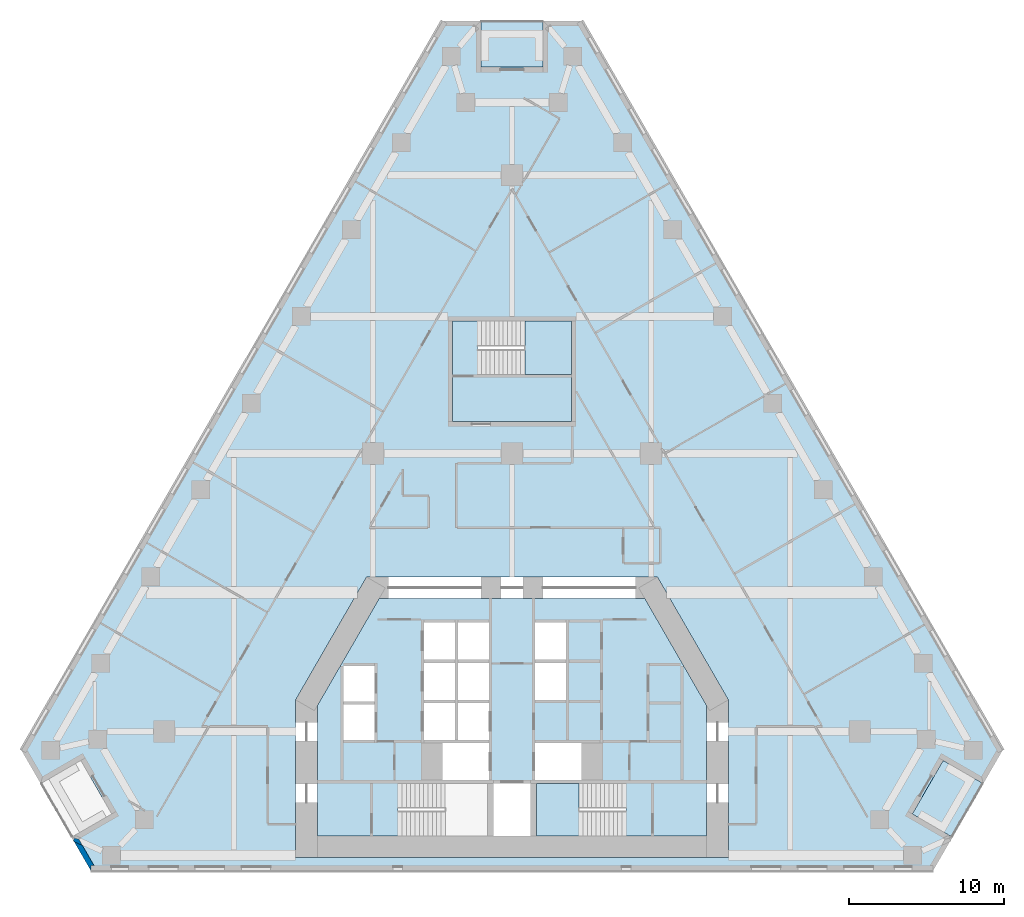
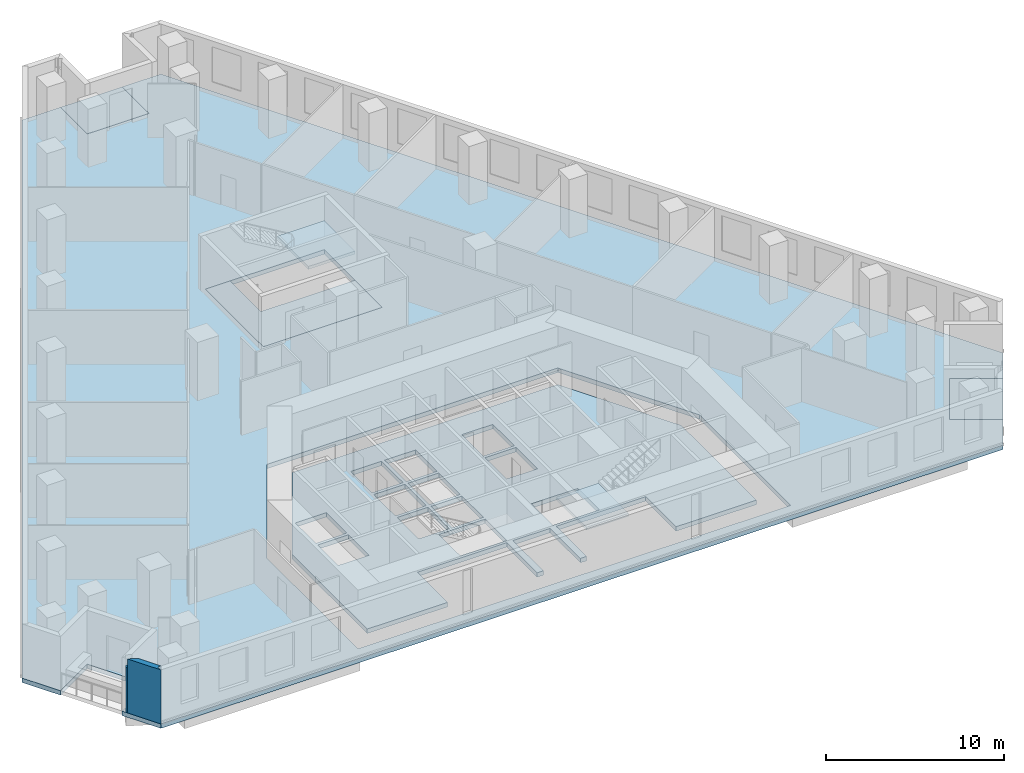
# One storey, part 2 of 11: 7 slabs, 2 walls, 2 elements without a shape of their own.
"""IFC4 building model written with IfcOpenShell, lengths in metres."""

import ifcopenshell
import ifcopenshell.guid

model = None  # the IFC model being written
_history = None  # IfcOwnerHistory: only IFC2X3 demands one
_inside = {}  # id of a spatial element -> (the spatial element, [elements in it])
_under = {}  # id of a project, library or spatial element -> (it, [spatial elements below it])
_declared = {}  # id of a project -> (the project, [libraries it declares])
_typed = {}  # id of a type object -> (the type object, [elements of that type])
_made_of = {}  # id of a material, layer set ... -> (it, [elements and type objects made of it])


def new_model(schema):
    """Start an empty IFC model of exactly this schema.

    Asked for "IFC4X3", IfcOpenShell would pick the latest addendum, in which some entities
    have other attributes; the version numbers below select the first issue.
    IFC2X3 requires an IfcOwnerHistory on every rooted entity: one is made here for all.
    """
    global model, _history
    if schema == "IFC4X3":
        model = ifcopenshell.file(schema_version=(4, 3, 0, 0))
    else:
        model = ifcopenshell.file(schema=schema)
    _inside.clear()
    _under.clear()
    _declared.clear()
    _typed.clear()
    _made_of.clear()
    _history = None
    if model.schema == "IFC2X3":
        org = make("IfcOrganization", Name="unknown")
        user = make(
            "IfcPersonAndOrganization",
            ThePerson=make("IfcPerson", FamilyName="unknown"),
            TheOrganization=org,
        )
        app = make(
            "IfcApplication",
            ApplicationDeveloper=org,
            Version="unknown",
            ApplicationFullName="unknown",
            ApplicationIdentifier="unknown",
        )
        _history = make(
            "IfcOwnerHistory",
            OwningUser=user,
            OwningApplication=app,
            ChangeAction="ADDED",
            CreationDate=0,
        )
    return model


def make(cls, **values):
    """One entity of the class cls with the attributes given. An attribute that is None is left unset."""
    return model.create_entity(
        cls, **{name: value for name, value in values.items() if value is not None}
    )


def rooted(cls, **values):
    """An entity with a GlobalId (a new one), such as an element, a storey or a relation."""
    return make(cls, GlobalId=ifcopenshell.guid.new(), OwnerHistory=_history, **values)


def si_unit(unit_type, name, prefix=None):
    """IfcSIUnit, for example si_unit("LENGTHUNIT", "METRE", prefix="MILLI")."""
    return make("IfcSIUnit", UnitType=unit_type, Prefix=prefix, Name=name)


def assignment(units):
    """IfcUnitAssignment: the units of a project."""
    return None if units is None else make("IfcUnitAssignment", Units=units)


def point(xyz):
    """IfcCartesianPoint."""
    return None if xyz is None else make("IfcCartesianPoint", Coordinates=xyz)


def direction(xyz):
    """IfcDirection."""
    return None if xyz is None else make("IfcDirection", DirectionRatios=xyz)


def frame(location, z_axis=None, x_axis=None):
    """IfcAxis2Placement3D, a coordinate frame: its origin and axes. An axis left out is left unset."""
    return make(
        "IfcAxis2Placement3D",
        Location=point(location),
        Axis=direction(z_axis),
        RefDirection=direction(x_axis),
    )


def origin():
    """The frame at (0, 0, 0) with its axes left unset."""
    return frame((0.0, 0.0, 0.0))


def place(relative_to, where):
    """IfcLocalPlacement: puts the frame where relative to a parent placement (None: the world)."""
    return make(
        "IfcLocalPlacement", PlacementRelTo=relative_to, RelativePlacement=where
    )


def context(
    kind, dimensions, precision=None, world=None, true_north=None, identifier=None
):
    """IfcGeometricRepresentationContext, for example the 3D "Model" context."""
    return make(
        "IfcGeometricRepresentationContext",
        ContextIdentifier=identifier,
        ContextType=kind,
        CoordinateSpaceDimension=dimensions,
        Precision=precision,
        WorldCoordinateSystem=world,
        TrueNorth=true_north,
    )


def subcontext(parent, identifier, kind, view, scale=None):
    """IfcGeometricRepresentationSubContext, for example "Body" below "Model"."""
    return make(
        "IfcGeometricRepresentationSubContext",
        ContextIdentifier=identifier,
        ContextType=kind,
        ParentContext=parent,
        TargetScale=scale,
        TargetView=view,
    )


def project(units=None, contexts=None):
    """IfcProject with its units and contexts."""
    return rooted(
        "IfcProject",
        Name="project",
        RepresentationContexts=contexts,
        UnitsInContext=assignment(units),
    )


def spatial(cls, under=None, at=None, **own):
    """A site, building, storey or space (cls), placed at a placement, below another one or the project."""
    s = rooted(cls, ObjectPlacement=at, **own)
    if under is not None:
        _under.setdefault(under.id(), (under, []))[1].append(s)
    return s


def polyline(points):
    """IfcPolyline through the points."""
    return make("IfcPolyline", Points=[point(p) for p in points])


def outline(outer, holes=None, kind="AREA"):
    """IfcArbitraryClosedProfileDef: a profile drawn as a closed curve; with holes, ...WithVoids."""
    if holes is None:
        return make("IfcArbitraryClosedProfileDef", ProfileType=kind, OuterCurve=outer)
    return make(
        "IfcArbitraryProfileDefWithVoids",
        ProfileType=kind,
        OuterCurve=outer,
        InnerCurves=holes,
    )


def extrude(swept, where, along, depth):
    """IfcExtrudedAreaSolid: the profile swept, set in the frame where, extruded along a direction by depth."""
    return make(
        "IfcExtrudedAreaSolid",
        SweptArea=swept,
        Position=where,
        ExtrudedDirection=direction(along),
        Depth=depth,
    )


def shape(context_of_items, identifier, shape_type, items):
    """IfcShapeRepresentation: the items that make up one representation, for example the "Body"."""
    return make(
        "IfcShapeRepresentation",
        ContextOfItems=context_of_items,
        RepresentationIdentifier=identifier,
        RepresentationType=shape_type,
        Items=items,
    )


def material(Name=None, Category=None):
    """IfcMaterial."""
    return make("IfcMaterial", Name=Name, Category=Category)


def layer(
    of_material, thickness, ventilated=None, Name=None, Category=None, Priority=None
):
    """IfcMaterialLayer: one layer of a wall or slab, of a material (None: an air gap)."""
    return make(
        "IfcMaterialLayer",
        Material=of_material,
        LayerThickness=thickness,
        IsVentilated=ventilated,
        Name=Name,
        Category=Category,
        Priority=Priority,
    )


def layer_set(layers, Name=None):
    """IfcMaterialLayerSet."""
    return make("IfcMaterialLayerSet", MaterialLayers=layers, LayerSetName=Name)


def made_of(thing, what):
    """Note that an element or type object is made of a material, layer set ...; save() writes the relation."""
    if what is not None:
        _made_of.setdefault(what.id(), (what, []))[1].append(thing)
    return thing


def type_object(cls, material=None, **own):
    """A type object (cls), such as IfcWallType, which elements share."""
    return made_of(rooted(cls, **own), material)


def element(
    cls,
    number,
    at=None,
    inside=None,
    cuts=None,
    type_object=None,
    material=None,
    context=None,
    identifier="Body",
    shape_type=None,
    held_by="IfcProductDefinitionShape",
    body=None,
    shapes=None,
    **own,
):
    """One element of the class cls, such as IfcWall. Its Tag is "e" and its number.

    at: its placement. inside: the storey or other place that contains it. cuts: it is an
    opening in that element (IfcRelVoidsElement). A single representation is given by context,
    identifier, shape_type and body (its items); several are given by shapes. held_by: the class
    of the entity that holds the representations. save() writes the other relations.
    """
    e = rooted(cls, Tag="e%d" % number, ObjectPlacement=at, **own)
    if body is not None:
        shapes = [shape(context, identifier, shape_type, body)]
    if shapes is not None:
        e.Representation = make(held_by, Representations=shapes)
    if inside is not None:
        _inside.setdefault(inside.id(), (inside, []))[1].append(e)
    if cuts is not None:
        rooted(
            "IfcRelVoidsElement", RelatingBuildingElement=cuts, RelatedOpeningElement=e
        )
    if type_object is not None:
        _typed.setdefault(type_object.id(), (type_object, []))[1].append(e)
    return made_of(e, material)


def aggregate(whole, parts):
    """IfcRelAggregates: a whole, such as a stair, and the parts it consists of."""
    return rooted("IfcRelAggregates", RelatingObject=whole, RelatedObjects=parts)


def save(model, path):
    """Write the relations noted so far, then the file.

    IfcRelAggregates (storeys below a building ...), IfcRelContainedInSpatialStructure (elements
    in a storey), IfcRelDefinesByType, IfcRelAssociatesMaterial and IfcRelDeclares: one each for
    every whole, place, type object, material and project.
    """
    for whole, parts in _under.values():
        aggregate(whole, parts)
    for where, things in _inside.values():
        rooted(
            "IfcRelContainedInSpatialStructure",
            RelatedElements=things,
            RelatingStructure=where,
        )
    for kind, things in _typed.values():
        rooted("IfcRelDefinesByType", RelatedObjects=things, RelatingType=kind)
    for what, things in _made_of.values():
        rooted("IfcRelAssociatesMaterial", RelatedObjects=things, RelatingMaterial=what)
    for by, libraries in _declared.values():
        rooted("IfcRelDeclares", RelatingContext=by, RelatedDefinitions=libraries)
    model.write(path)


model = new_model("IFC4")

# Units and contexts
model_context = context("Model", 3, precision=1e-05, world=origin(), true_north=direction((0.0, 1.0)))
body_context = subcontext(model_context, "Body", "Model", "MODEL_VIEW")
ifc_project = project(units=[si_unit("LENGTHUNIT", "METRE"), si_unit("AREAUNIT", "SQUARE_METRE"), si_unit("VOLUMEUNIT", "CUBIC_METRE"), si_unit("PLANEANGLEUNIT", "RADIAN"), si_unit("MASSUNIT", "GRAM", prefix="KILO")], contexts=[model_context])

# Site, building, storey
site_placement = place(None, origin())
site = spatial("IfcSite", under=ifc_project, at=site_placement, CompositionType="ELEMENT")
building_placement = place(site_placement, origin())
building = spatial("IfcBuilding", under=site, at=building_placement, Name="Fogline Exchange Tower", CompositionType="ELEMENT")
storey_placement = place(building_placement, frame((0.0, 0.0, 52.89990234375)))
storey = spatial("IfcBuildingStorey", under=building, at=storey_placement, Name="L10", CompositionType="ELEMENT", Elevation=52.89990234375)

# Slabs
ifc_material_1 = material(Name="Concrete C40", Category="concrete")
ifc_layer_1 = layer(ifc_material_1, 0.25)
ifc_layer_set_1 = layer_set([ifc_layer_1], Name="DK1")
slab_type_1 = type_object("IfcSlabType", Name="DK1", PredefinedType="FLOOR", material=ifc_layer_set_1)
slab_1_placement = place(storey_placement, frame((0.0, 0.0, -0.25)))
element("IfcSlab", 1, at=slab_1_placement, inside=storey, type_object=slab_type_1, Name="Balcony L10 SE", PredefinedType="FLOOR", context=body_context, shape_type="SweptSolid", body=[
    extrude(outline(polyline([(28.505126953125, 2.1650390625), (30.505126953125, 5.629150390625), (27.906982421875, 7.129150390625), (25.906982421875, 3.6650390625), (28.505126953125, 2.1650390625)])), origin(), (0.0, 0.0, 1.0), 0.25),
])
slab_2_placement = place(storey_placement, frame((0.0, 0.0, -0.25)))
element("IfcSlab", 2, at=slab_2_placement, inside=storey, type_object=slab_type_1, Name="Balcony L10 N", PredefinedType="FLOOR", context=body_context, shape_type="SweptSolid", body=[
    extrude(outline(polyline([(2.0, 55.001708984375), (-2.0, 55.001708984375), (-2.0, 52.001708984375), (2.0, 52.001708984375), (2.0, 55.001708984375)])), origin(), (0.0, 0.0, 1.0), 0.25),
])
ifc_layer_2 = layer(ifc_material_1, 0.300048828125)
ifc_layer_set_2 = layer_set([ifc_layer_2], Name="S04")
slab_type_2 = type_object("IfcSlabType", Name="S04", PredefinedType="FLOOR", material=ifc_layer_set_2)
slab_3_placement = place(storey_placement, frame((0.0, 0.0, -0.2998046875)))
element("IfcSlab", 3, at=slab_3_placement, inside=storey, type_object=slab_type_2, Name="SLAB L10", PredefinedType="FLOOR", context=body_context, shape_type="SweptSolid", body=[
    extrude(outline(polyline([(-2.0, 55.001708984375), (-4.5, 55.001708984375), (-31.755126953125, 7.794189453125), (-30.505126953125, 5.629150390625), (-27.906982421875, 7.129150390625), (-25.906982421875, 3.6650390625), (-28.505126953125, 2.1650390625), (-27.255126953125, 0.0), (27.255126953125, 0.0), (28.505126953125, 2.1650390625), (25.906982421875, 3.6650390625), (27.906982421875, 7.129150390625), (30.505126953125, 5.629150390625), (31.755126953125, 7.794189453125), (4.5, 55.001708984375), (2.0, 55.001708984375), (2.0, 52.001708984375), (-2.0, 52.001708984375), (-2.0, 55.001708984375)]), holes=[polyline([(14.0, 11.052490234375), (14.0, 0.85009765625), (-14.0, 0.85009765625), (-14.0, 11.052490234375), (-9.41162109375, 19.0), (9.41162109375, 19.0), (14.0, 11.052490234375)]), polyline([(3.85009765625, 35.556884765625), (3.85009765625, 29.056884765625), (-3.85009765625, 29.056884765625), (-3.85009765625, 35.556884765625), (3.85009765625, 35.556884765625)])]), origin(), (0.0, 0.0, 1.0), 0.2998046875),
])
slab_4_placement = place(storey_placement, frame((0.0, 0.0, -0.2998046875)))
element("IfcSlab", 4, at=slab_4_placement, inside=storey, type_object=slab_type_2, Name="Core floor slab", PredefinedType="FLOOR", context=body_context, shape_type="SweptSolid", body=[
    extrude(outline(polyline([(-12.60009765625, 2.25), (-12.60009765625, 10.677490234375), (-8.603271484375, 17.60009765625), (8.603271484375, 17.60009765625), (12.60009765625, 10.677490234375), (12.60009765625, 2.25), (7.389892578125, 2.25), (7.389892578125, 5.64990234375), (1.60009765625, 5.64990234375), (1.60009765625, 2.25), (1.199951171875, 2.25), (1.199951171875, 5.64990234375), (-1.199951171875, 5.64990234375), (-1.199951171875, 2.25), (-1.60009765625, 2.25), (-1.60009765625, 5.64990234375), (-7.389892578125, 5.64990234375), (-7.389892578125, 2.25), (-12.60009765625, 2.25)]), holes=[polyline([(-1.5, 8.25), (-4.5, 8.25), (-4.5, 5.85009765625), (-1.5, 5.85009765625), (-1.5, 8.25)]), polyline([(-8.89990234375, 10.75), (-10.89990234375, 10.75), (-10.89990234375, 8.449951171875), (-8.89990234375, 8.449951171875), (-8.89990234375, 10.75)]), polyline([(-3.699951171875, 10.85009765625), (-5.699951171875, 10.85009765625), (-5.699951171875, 8.449951171875), (-3.699951171875, 8.449951171875), (-3.699951171875, 10.85009765625)]), polyline([(-1.5, 10.85009765625), (-3.5, 10.85009765625), (-3.5, 8.449951171875), (-1.5, 8.449951171875), (-1.5, 10.85009765625)]), polyline([(-8.89990234375, 13.25), (-10.89990234375, 13.25), (-10.89990234375, 10.949951171875), (-8.89990234375, 10.949951171875), (-8.89990234375, 13.25)]), polyline([(-3.699951171875, 13.449951171875), (-5.699951171875, 13.449951171875), (-5.699951171875, 11.050048828125), (-3.699951171875, 11.050048828125), (-3.699951171875, 13.449951171875)]), polyline([(-3.699951171875, 16.050048828125), (-5.699951171875, 16.050048828125), (-5.699951171875, 13.64990234375), (-3.699951171875, 13.64990234375), (-3.699951171875, 16.050048828125)]), polyline([(4.5, 8.25), (1.5, 8.25), (1.5, 5.85009765625), (4.5, 5.85009765625), (4.5, 8.25)]), polyline([(-1.5, 13.449951171875), (-3.5, 13.449951171875), (-3.5, 11.050048828125), (-1.5, 11.050048828125), (-1.5, 13.449951171875)]), polyline([(3.5, 13.449951171875), (1.5, 13.449951171875), (1.5, 11.050048828125), (3.5, 11.050048828125), (3.5, 13.449951171875)]), polyline([(-1.5, 16.050048828125), (-3.5, 16.050048828125), (-3.5, 13.64990234375), (-1.5, 13.64990234375), (-1.5, 16.050048828125)]), polyline([(3.5, 16.050048828125), (1.5, 16.050048828125), (1.5, 13.64990234375), (3.5, 13.64990234375), (3.5, 16.050048828125)])]), origin(), (0.0, 0.0, 1.0), 0.2998046875),
])
slab_5_placement = place(storey_placement, frame((0.0, 0.0, -0.2998046875)))
element("IfcSlab", 5, at=slab_5_placement, inside=storey, type_object=slab_type_2, Name="Stair enclosure floor slab", PredefinedType="FLOOR", context=body_context, shape_type="SweptSolid", body=[
    extrude(outline(polyline([(3.85009765625, 29.056884765625), (-3.85009765625, 29.056884765625), (-3.85009765625, 35.556884765625), (-2.239990234375, 35.556884765625), (-2.239990234375, 32.10693359375), (3.85009765625, 32.10693359375), (3.85009765625, 29.056884765625)])), origin(), (0.0, 0.0, 1.0), 0.2998046875),
])

# Stair, slab
stair_type = type_object("IfcStairType", Name="STR24-1667", PredefinedType="HALF_TURN_STAIR", material=ifc_material_1)
stair_1_placement = place(storey_placement, origin())
stair_1 = element("IfcStair", 6, at=stair_1_placement, inside=storey, type_object=stair_type, Name="Stair ST2", PredefinedType="HALF_TURN_STAIR")
ifc_layer_3 = layer(ifc_material_1, 0.199951171875)
ifc_layer_set_3 = layer_set([ifc_layer_3], Name="SL200")
slab_type_3 = type_object("IfcSlabType", Name="SL200", PredefinedType="LANDING", material=ifc_layer_set_3)
slab_6_placement = place(storey_placement, frame((0.0, 0.0, 1.800048828125)))
slab_6 = element("IfcSlab", 7, at=slab_6_placement, type_object=slab_type_3, Name="ST2 landing 1", PredefinedType="LANDING", context=body_context, shape_type="SweptSolid", body=[
    extrude(outline(polyline([(1.60009765625, 2.25), (4.320068359375, 2.25), (4.320068359375, 5.64990234375), (1.60009765625, 5.64990234375), (1.60009765625, 2.25)])), origin(), (0.0, 0.0, 1.0), 0.199951171875),
])
aggregate(stair_1, [slab_6])

stair_2_placement = place(storey_placement, origin())
stair_2 = element("IfcStair", 8, at=stair_2_placement, inside=storey, type_object=stair_type, Name="Stair ST3", PredefinedType="HALF_TURN_STAIR")
slab_7_placement = place(storey_placement, frame((0.0, 0.0, 1.800048828125)))
slab_7 = element("IfcSlab", 9, at=slab_7_placement, type_object=slab_type_3, Name="ST3 landing 1", PredefinedType="LANDING", context=body_context, shape_type="SweptSolid", body=[
    extrude(outline(polyline([(0.830078125, 32.10693359375), (3.85009765625, 32.10693359375), (3.85009765625, 35.556884765625), (0.830078125, 35.556884765625), (0.830078125, 32.10693359375)])), origin(), (0.0, 0.0, 1.0), 0.199951171875),
])
aggregate(stair_2, [slab_7])

# Walls
ifc_material_2 = material(Name="Brick masonry", Category="masonry")
ifc_layer_4 = layer(ifc_material_2, 0.340087890625)
ifc_layer_set_4 = layer_set([ifc_layer_4], Name="FW1")
wall_type = type_object("IfcWallType", Name="FW1", PredefinedType="SOLIDWALL", material=ifc_layer_set_4)
wall_1_placement = place(storey_placement, origin())
element("IfcWall", 10, at=wall_1_placement, inside=storey, type_object=wall_type, Name="Brick wall L10 SW-c2", PredefinedType="SOLIDWALL", context=body_context, shape_type="SweptSolid", body=[
    extrude(outline(polyline([(-28.389404296875, 1.96337890625), (-28.3203125, 2.1162109375), (-28.040283203125, 2.041015625), (-27.80029296875, 1.62548828125), (-28.333740234375, 1.86669921875), (-28.389404296875, 1.96337890625)])), origin(), (0.0, 0.0, 1.0), 3.10009765625),
])
wall_2_placement = place(storey_placement, origin())
element("IfcWall", 11, at=wall_2_placement, inside=storey, type_object=wall_type, Name="Brick wall L10 SW-c2", PredefinedType="SOLIDWALL", context=body_context, shape_type="SweptSolid", body=[
    extrude(outline(polyline([(-27.254638671875, 0.33935546875), (-27.254638671875, -0.0009765625), (-27.255126953125, -0.001220703125), (-28.333740234375, 1.86669921875), (-27.80029296875, 1.62548828125), (-27.057861328125, 0.33935546875), (-27.254638671875, 0.33935546875)])), origin(), (0.0, 0.0, 1.0), 3.7001953125),
])

save(model, "model.ifc")
